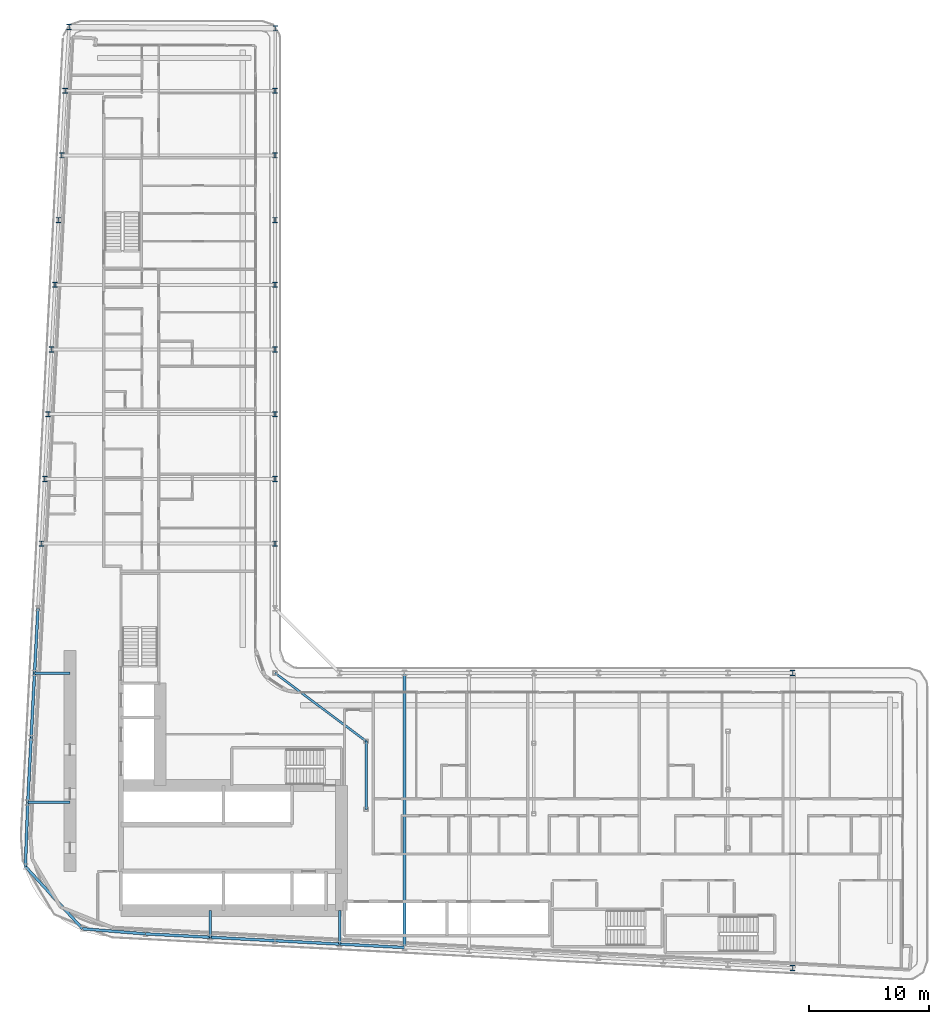
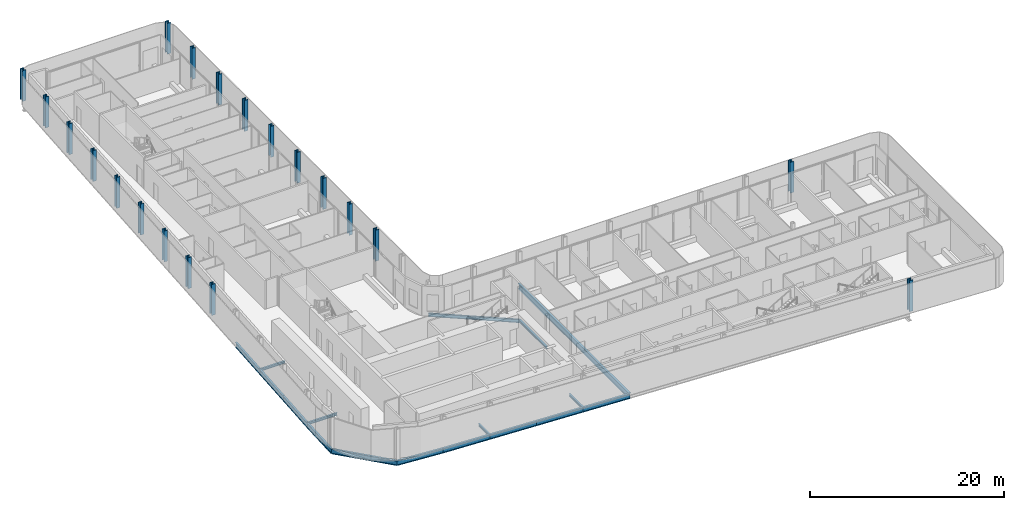
# One storey, part 3 of 27: 20 columns, 17 beams.
"""IFC4 building model written with IfcOpenShell, lengths in metres."""

import ifcopenshell
import ifcopenshell.guid

model = None  # the IFC model being written
_history = None  # IfcOwnerHistory: only IFC2X3 demands one
_inside = {}  # id of a spatial element -> (the spatial element, [elements in it])
_under = {}  # id of a project, library or spatial element -> (it, [spatial elements below it])
_declared = {}  # id of a project -> (the project, [libraries it declares])
_typed = {}  # id of a type object -> (the type object, [elements of that type])
_made_of = {}  # id of a material, layer set ... -> (it, [elements and type objects made of it])


def new_model(schema):
    """Start an empty IFC model of exactly this schema.

    Asked for "IFC4X3", IfcOpenShell would pick the latest addendum, in which some entities
    have other attributes; the version numbers below select the first issue.
    IFC2X3 requires an IfcOwnerHistory on every rooted entity: one is made here for all.
    """
    global model, _history
    if schema == "IFC4X3":
        model = ifcopenshell.file(schema_version=(4, 3, 0, 0))
    else:
        model = ifcopenshell.file(schema=schema)
    _inside.clear()
    _under.clear()
    _declared.clear()
    _typed.clear()
    _made_of.clear()
    _history = None
    if model.schema == "IFC2X3":
        org = make("IfcOrganization", Name="unknown")
        user = make(
            "IfcPersonAndOrganization",
            ThePerson=make("IfcPerson", FamilyName="unknown"),
            TheOrganization=org,
        )
        app = make(
            "IfcApplication",
            ApplicationDeveloper=org,
            Version="unknown",
            ApplicationFullName="unknown",
            ApplicationIdentifier="unknown",
        )
        _history = make(
            "IfcOwnerHistory",
            OwningUser=user,
            OwningApplication=app,
            ChangeAction="ADDED",
            CreationDate=0,
        )
    return model


def make(cls, **values):
    """One entity of the class cls with the attributes given. An attribute that is None is left unset."""
    return model.create_entity(
        cls, **{name: value for name, value in values.items() if value is not None}
    )


def rooted(cls, **values):
    """An entity with a GlobalId (a new one), such as an element, a storey or a relation."""
    return make(cls, GlobalId=ifcopenshell.guid.new(), OwnerHistory=_history, **values)


def si_unit(unit_type, name, prefix=None):
    """IfcSIUnit, for example si_unit("LENGTHUNIT", "METRE", prefix="MILLI")."""
    return make("IfcSIUnit", UnitType=unit_type, Prefix=prefix, Name=name)


def assignment(units):
    """IfcUnitAssignment: the units of a project."""
    return None if units is None else make("IfcUnitAssignment", Units=units)


def point(xyz):
    """IfcCartesianPoint."""
    return None if xyz is None else make("IfcCartesianPoint", Coordinates=xyz)


def direction(xyz):
    """IfcDirection."""
    return None if xyz is None else make("IfcDirection", DirectionRatios=xyz)


def frame(location, z_axis=None, x_axis=None):
    """IfcAxis2Placement3D, a coordinate frame: its origin and axes. An axis left out is left unset."""
    return make(
        "IfcAxis2Placement3D",
        Location=point(location),
        Axis=direction(z_axis),
        RefDirection=direction(x_axis),
    )


def frame_2d(location, x_axis=None):
    """IfcAxis2Placement2D, a coordinate frame in the plane: its origin and x axis."""
    return make(
        "IfcAxis2Placement2D", Location=point(location), RefDirection=direction(x_axis)
    )


def origin():
    """The frame at (0, 0, 0) with its axes left unset."""
    return frame((0.0, 0.0, 0.0))


def origin_2d():
    """The frame at (0, 0) in the plane with its x axis left unset."""
    return frame_2d((0.0, 0.0))


def place(relative_to, where):
    """IfcLocalPlacement: puts the frame where relative to a parent placement (None: the world)."""
    return make(
        "IfcLocalPlacement", PlacementRelTo=relative_to, RelativePlacement=where
    )


def context(
    kind, dimensions, precision=None, world=None, true_north=None, identifier=None
):
    """IfcGeometricRepresentationContext, for example the 3D "Model" context."""
    return make(
        "IfcGeometricRepresentationContext",
        ContextIdentifier=identifier,
        ContextType=kind,
        CoordinateSpaceDimension=dimensions,
        Precision=precision,
        WorldCoordinateSystem=world,
        TrueNorth=true_north,
    )


def subcontext(parent, identifier, kind, view, scale=None):
    """IfcGeometricRepresentationSubContext, for example "Body" below "Model"."""
    return make(
        "IfcGeometricRepresentationSubContext",
        ContextIdentifier=identifier,
        ContextType=kind,
        ParentContext=parent,
        TargetScale=scale,
        TargetView=view,
    )


def project(units=None, contexts=None):
    """IfcProject with its units and contexts."""
    return rooted(
        "IfcProject",
        Name="project",
        RepresentationContexts=contexts,
        UnitsInContext=assignment(units),
    )


def spatial(cls, under=None, at=None, **own):
    """A site, building, storey or space (cls), placed at a placement, below another one or the project."""
    s = rooted(cls, ObjectPlacement=at, **own)
    if under is not None:
        _under.setdefault(under.id(), (under, []))[1].append(s)
    return s


def profile(cls, at=None, kind="AREA", **sizes):
    """A parametric profile (cls). Its sizes go by their IFC names, for example OverallWidth=200.0."""
    return make(cls, ProfileType=kind, Position=at, **sizes)


def i_section(**sizes):
    """IfcIShapeProfileDef."""
    return profile("IfcIShapeProfileDef", **sizes)


def extrude(swept, where, along, depth):
    """IfcExtrudedAreaSolid: the profile swept, set in the frame where, extruded along a direction by depth."""
    return make(
        "IfcExtrudedAreaSolid",
        SweptArea=swept,
        Position=where,
        ExtrudedDirection=direction(along),
        Depth=depth,
    )


def shape(context_of_items, identifier, shape_type, items):
    """IfcShapeRepresentation: the items that make up one representation, for example the "Body"."""
    return make(
        "IfcShapeRepresentation",
        ContextOfItems=context_of_items,
        RepresentationIdentifier=identifier,
        RepresentationType=shape_type,
        Items=items,
    )


def material(Name=None, Category=None):
    """IfcMaterial."""
    return make("IfcMaterial", Name=Name, Category=Category)


def material_profile(
    of_material, cross_section, Name=None, Category=None, Priority=None
):
    """IfcMaterialProfile: a cross section and its material."""
    return make(
        "IfcMaterialProfile",
        Name=Name,
        Material=of_material,
        Profile=cross_section,
        Priority=Priority,
        Category=Category,
    )


def profile_set(profiles, Name=None, composite=None):
    """IfcMaterialProfileSet."""
    return make(
        "IfcMaterialProfileSet",
        Name=Name,
        MaterialProfiles=profiles,
        CompositeProfile=composite,
    )


def made_of(thing, what):
    """Note that an element or type object is made of a material, layer set ...; save() writes the relation."""
    if what is not None:
        _made_of.setdefault(what.id(), (what, []))[1].append(thing)
    return thing


def type_object(cls, material=None, **own):
    """A type object (cls), such as IfcWallType, which elements share."""
    return made_of(rooted(cls, **own), material)


def element(
    cls,
    number,
    at=None,
    inside=None,
    cuts=None,
    type_object=None,
    material=None,
    context=None,
    identifier="Body",
    shape_type=None,
    held_by="IfcProductDefinitionShape",
    body=None,
    shapes=None,
    **own,
):
    """One element of the class cls, such as IfcWall. Its Tag is "e" and its number.

    at: its placement. inside: the storey or other place that contains it. cuts: it is an
    opening in that element (IfcRelVoidsElement). A single representation is given by context,
    identifier, shape_type and body (its items); several are given by shapes. held_by: the class
    of the entity that holds the representations. save() writes the other relations.
    """
    e = rooted(cls, Tag="e%d" % number, ObjectPlacement=at, **own)
    if body is not None:
        shapes = [shape(context, identifier, shape_type, body)]
    if shapes is not None:
        e.Representation = make(held_by, Representations=shapes)
    if inside is not None:
        _inside.setdefault(inside.id(), (inside, []))[1].append(e)
    if cuts is not None:
        rooted(
            "IfcRelVoidsElement", RelatingBuildingElement=cuts, RelatedOpeningElement=e
        )
    if type_object is not None:
        _typed.setdefault(type_object.id(), (type_object, []))[1].append(e)
    return made_of(e, material)


def aggregate(whole, parts):
    """IfcRelAggregates: a whole, such as a stair, and the parts it consists of."""
    return rooted("IfcRelAggregates", RelatingObject=whole, RelatedObjects=parts)


def save(model, path):
    """Write the relations noted so far, then the file.

    IfcRelAggregates (storeys below a building ...), IfcRelContainedInSpatialStructure (elements
    in a storey), IfcRelDefinesByType, IfcRelAssociatesMaterial and IfcRelDeclares: one each for
    every whole, place, type object, material and project.
    """
    for whole, parts in _under.values():
        aggregate(whole, parts)
    for where, things in _inside.values():
        rooted(
            "IfcRelContainedInSpatialStructure",
            RelatedElements=things,
            RelatingStructure=where,
        )
    for kind, things in _typed.values():
        rooted("IfcRelDefinesByType", RelatedObjects=things, RelatingType=kind)
    for what, things in _made_of.values():
        rooted("IfcRelAssociatesMaterial", RelatedObjects=things, RelatingMaterial=what)
    for by, libraries in _declared.values():
        rooted("IfcRelDeclares", RelatingContext=by, RelatedDefinitions=libraries)
    model.write(path)


model = new_model("IFC4")

# Units and contexts
model_context = context("Model", 3, precision=1e-05, world=origin(), true_north=direction((0.0, 1.0)))
body_context = subcontext(model_context, "Body", "Model", "MODEL_VIEW")
ifc_project = project(units=[si_unit("LENGTHUNIT", "METRE"), si_unit("AREAUNIT", "SQUARE_METRE"), si_unit("VOLUMEUNIT", "CUBIC_METRE"), si_unit("PLANEANGLEUNIT", "RADIAN"), si_unit("MASSUNIT", "GRAM", prefix="KILO")], contexts=[model_context])

# Site, building, storey
site_placement = place(None, origin())
site = spatial("IfcSite", under=ifc_project, at=site_placement, CompositionType="ELEMENT")
building_placement = place(site_placement, origin())
building = spatial("IfcBuilding", under=site, at=building_placement, Name="Kheshtan School and Residences Tower", CompositionType="ELEMENT")
storey_placement = place(building_placement, frame((0.0, 0.0, 57.800048828125)))
storey = spatial("IfcBuildingStorey", under=building, at=storey_placement, Name="L13", CompositionType="ELEMENT", Elevation=57.800048828125)

# Columns
ifc_material = material(Name="Steel ASTM A992 Grade 50", Category="steel")
ifc_material_profile_1 = material_profile(ifc_material, i_section(OverallWidth=0.424072265625, OverallDepth=0.47412109375, WebThickness=0.047607421875, FlangeThickness=0.0771484375, FilletRadius=0.01416015625, at=origin_2d()), Name="W360x634")
ifc_profile_set_1 = profile_set([ifc_material_profile_1], Name="Steel ASTM A992 Grade 50")
column_type = type_object("IfcColumnType", Name="Column C1 W360x634 ASTM A992 Grade 50", PredefinedType="COLUMN", material=ifc_profile_set_1)
for number, where, z_axis, x_axis, name in (
    (1, (90.800048828125, 20.989990234375, 0.0), (0.0, 0.0, 1.0), (1.0, 0.0, 0.0), "Column C006"),
    (2, (90.800048828125, 45.60009765625, 0.0), (0.0, 0.0, 1.0), (1.0, 0.0, 0.0), "Column C068"),
    (3, (28.10595703125, 56.39990234375, 0.0), (0.0, 0.0, 1.0), (1.0, 0.0, 0.0), "Column C080"),
    (4, (47.60009765625, 56.39990234375, 0.0), (0.0, 0.0, 1.0), (1.0, 0.0, 0.0), "Column C081"),
    (5, (28.389892578125, 61.800048828125, 0.0), (0.0, 0.0, 1.0), (1.0, 0.0, 0.0), "Column C082"),
    (6, (47.60009765625, 61.800048828125, 0.0), (0.0, 0.0, 1.0), (1.0, 0.0, 0.0), "Column C083"),
    (7, (28.674072265625, 67.199951171875, 0.0), (0.0, 0.0, 1.0), (1.0, 0.0, 0.0), "Column C084"),
    (8, (47.60009765625, 67.199951171875, 0.0), (0.0, 0.0, 1.0), (1.0, 0.0, 0.0), "Column C085"),
    (9, (28.9580078125, 72.60009765625, 0.0), (0.0, 0.0, 1.0), (1.0, 0.0, 0.0), "Column C086"),
    (10, (47.60009765625, 72.60009765625, 0.0), (0.0, 0.0, 1.0), (1.0, 0.0, 0.0), "Column C087"),
    (11, (29.242919921875, 78.0, 0.0), (0.0, 0.0, 1.0), (1.0, 0.0, 0.0), "Column C088"),
    (12, (47.60009765625, 78.0, 0.0), (0.0, 0.0, 1.0), (1.0, 0.0, 0.0), "Column C089"),
    (13, (29.527099609375, 83.39990234375, 0.0), (0.0, 0.0, 1.0), (1.0, 0.0, 0.0), "Column C090"),
    (14, (47.60009765625, 83.39990234375, 0.0), (0.0, 0.0, 1.0), (1.0, 0.0, 0.0), "Column C091"),
    (15, (29.81103515625, 88.800048828125, 0.0), (0.0, 0.0, 1.0), (1.0, 0.0, 0.0), "Column C098"),
    (16, (47.60009765625, 88.800048828125, 0.0), (0.0, 0.0, 1.0), (1.0, 0.0, 0.0), "Column C099"),
    (17, (30.094970703125, 94.199951171875, 0.0), (0.0, 0.0, 1.0), (1.0, 0.0, 0.0), "Column C106"),
    (18, (47.60009765625, 94.199951171875, 0.0), (0.0, 0.0, 1.0), (1.0, 0.0, 0.0), "Column C107"),
    (19, (47.6298828125, 99.402099609375, 0.0), (0.0, 0.0, 1.0), (1.0, 0.0, 0.0), "Column C113"),
    (20, (30.424072265625, 99.510009765625, 0.0), (0.0, 0.0, 1.0), (1.0, 0.0, 0.0), "Column C121"),
):
    element("IfcColumn", number, at=place(storey_placement, frame(where, z_axis=z_axis, x_axis=x_axis)), inside=storey, type_object=column_type, Name=name, PredefinedType="COLUMN", context=body_context, shape_type="SweptSolid", body=[
        extrude(i_section(OverallWidth=0.424072265625, OverallDepth=0.47412109375, WebThickness=0.047607421875, FlangeThickness=0.0771484375, FilletRadius=0.01416015625, at=origin_2d()), origin(), (0.0, 0.0, 1.0), 3.89990234375),
    ])

# Beams
ifc_material_profile_2 = material_profile(ifc_material, i_section(OverallWidth=0.202880859375, OverallDepth=0.302978515625, WebThickness=0.007568359375, FlangeThickness=0.01318359375, FilletRadius=0.009033203125, at=origin_2d()), Name="W310x60")
ifc_profile_set_2 = profile_set([ifc_material_profile_2], Name="Steel ASTM A992 Grade 50")
beam_type_1 = type_object("IfcBeamType", Name="Beam FB1 W310x60 ASTM A992 Grade 50", PredefinedType="BEAM", material=ifc_profile_set_2)
beam_1_placement = place(storey_placement, frame((53.0, 22.97998046875, -0.301513671875), z_axis=(0.0, 1.0, 0.0), x_axis=(-1.0, 0.0, 0.0)))
element("IfcBeam", 21, at=beam_1_placement, inside=storey, type_object=beam_type_1, Name="Floor beam C019", PredefinedType="BEAM", context=body_context, shape_type="SweptSolid", body=[
    extrude(i_section(OverallWidth=0.202880859375, OverallDepth=0.302978515625, WebThickness=0.007568359375, FlangeThickness=0.01318359375, FilletRadius=0.009033203125, at=origin_2d()), origin(), (0.0, 0.0, 1.0), 2.820068359375),
])
beam_2_placement = place(storey_placement, frame((42.199951171875, 23.548095703125, -0.301513671875), z_axis=(0.0, 1.0, 0.0), x_axis=(-1.0, 0.0, 0.0)))
element("IfcBeam", 22, at=beam_2_placement, inside=storey, type_object=beam_type_1, Name="Floor beam C021", PredefinedType="BEAM", context=body_context, shape_type="SweptSolid", body=[
    extrude(i_section(OverallWidth=0.202880859375, OverallDepth=0.302978515625, WebThickness=0.007568359375, FlangeThickness=0.01318359375, FilletRadius=0.009033203125, at=origin_2d()), origin(), (0.0, 0.0, 1.0), 2.251953125),
])
beam_3_placement = place(storey_placement, frame((26.968994140625, 34.800048828125, -0.301513671875), z_axis=(1.0, 0.0, 0.0), x_axis=(0.0, 1.0, 0.0)))
element("IfcBeam", 23, at=beam_3_placement, inside=storey, type_object=beam_type_1, Name="Floor beam C052", PredefinedType="BEAM", context=body_context, shape_type="SweptSolid", body=[
    extrude(i_section(OverallWidth=0.202880859375, OverallDepth=0.302978515625, WebThickness=0.007568359375, FlangeThickness=0.01318359375, FilletRadius=0.009033203125, at=origin_2d()), origin(), (0.0, 0.0, 1.0), 3.531005859375),
])
beam_4_placement = place(storey_placement, frame((27.537109375, 45.60009765625, -0.301513671875), z_axis=(1.0, 0.0, 0.0), x_axis=(0.0, 1.0, 0.0)))
element("IfcBeam", 24, at=beam_4_placement, inside=storey, type_object=beam_type_1, Name="Floor beam C059", PredefinedType="BEAM", context=body_context, shape_type="SweptSolid", body=[
    extrude(i_section(OverallWidth=0.202880859375, OverallDepth=0.302978515625, WebThickness=0.007568359375, FlangeThickness=0.01318359375, FilletRadius=0.009033203125, at=origin_2d()), origin(), (0.0, 0.0, 1.0), 2.962890625),
])
beam_5_placement = place(storey_placement, frame((55.199951171875, 34.23193359375, -0.301513671875), z_axis=(0.0, 1.0, 0.0), x_axis=(-1.0, 0.0, 0.0)))
element("IfcBeam", 25, at=beam_5_placement, inside=storey, type_object=beam_type_1, Name="Floor beam IC", PredefinedType="BEAM", context=body_context, shape_type="SweptSolid", body=[
    extrude(i_section(OverallWidth=0.202880859375, OverallDepth=0.302978515625, WebThickness=0.007568359375, FlangeThickness=0.01318359375, FilletRadius=0.009033203125, at=origin_2d()), origin(), (0.0, 0.0, 1.0), 5.68408203125),
])
ifc_material_profile_3 = material_profile(ifc_material, i_section(OverallWidth=0.180908203125, OverallDepth=0.4169921875, WebThickness=0.010986328125, FlangeThickness=0.018310546875, FilletRadius=0.012451171875, at=origin_2d()), Name="W410x85")
ifc_profile_set_3 = profile_set([ifc_material_profile_3], Name="Steel ASTM A992 Grade 50")
beam_type_2 = type_object("IfcBeamType", Name="Beam FB3 W410x85 ASTM A992 Grade 50", PredefinedType="BEAM", material=ifc_profile_set_3)
beam_6_placement = place(storey_placement, frame((47.60009765625, 45.60009765625, -0.358642578125), z_axis=(0.800798828004, -0.598933416222, 0.0), x_axis=(0.598933416222, 0.800798828004, 0.0)))
element("IfcBeam", 26, at=beam_6_placement, inside=storey, type_object=beam_type_2, Name="Floor beam IC", PredefinedType="BEAM", context=body_context, shape_type="SweptSolid", body=[
    extrude(i_section(OverallWidth=0.180908203125, OverallDepth=0.4169921875, WebThickness=0.010986328125, FlangeThickness=0.018310546875, FilletRadius=0.012451171875, at=origin_2d()), origin(), (0.0, 0.0, 1.0), 9.490234375),
])
ifc_material_profile_4 = material_profile(ifc_material, i_section(OverallWidth=0.2529296875, OverallDepth=0.677978515625, WebThickness=0.01171875, FlangeThickness=0.016357421875, FilletRadius=0.0146484375, at=origin_2d()), Name="W690x125")
ifc_profile_set_4 = profile_set([ifc_material_profile_4], Name="Steel ASTM A992 Grade 50")
beam_type_3 = type_object("IfcBeamType", Name="Beam FB6 W690x125 ASTM A992 Grade 50", PredefinedType="BEAM", material=ifc_profile_set_4)
beam_7_placement = place(storey_placement, frame((58.39990234375, 45.60009765625, -0.489013671875), z_axis=(0.0, -1.0, 0.0), x_axis=(1.0, 0.0, 0.0)))
element("IfcBeam", 27, at=beam_7_placement, inside=storey, type_object=beam_type_3, Name="Floor beam C062", PredefinedType="BEAM", context=body_context, shape_type="SweptSolid", body=[
    extrude(i_section(OverallWidth=0.2529296875, OverallDepth=0.677978515625, WebThickness=0.01171875, FlangeThickness=0.016357421875, FilletRadius=0.0146484375, at=origin_2d()), origin(), (0.0, 0.0, 1.0), 22.905029296875),
])
ifc_material_profile_5 = material_profile(ifc_material, i_section(OverallWidth=0.22998046875, OverallDepth=0.616943359375, WebThickness=0.01318359375, FlangeThickness=0.022216796875, FilletRadius=0.0185546875, at=origin_2d()), Name="W610x140")
ifc_profile_set_5 = profile_set([ifc_material_profile_5], Name="Steel ASTM A992 Grade 50")
beam_type_4 = type_object("IfcBeamType", Name="Beam SP1 W610x140 ASTM A992 Grade 50", PredefinedType="BEAM", material=ifc_profile_set_5)
for number, where, z_axis, x_axis, name in (
    (28, (58.39990234375, 22.695068359375, -0.45849609375), (-0.998610961136, 0.052689166816, 0.0), (-0.052689166816, -0.998610961136, 0.0), "Spandrel beam C018-C019"),
    (29, (53.0, 22.97998046875, -0.45849609375), (-0.998620447272, 0.05250906864, 0.0), (-0.05250906864, -0.998620447272, 0.0), "Spandrel beam C019-C020"),
):
    element("IfcBeam", number, at=place(storey_placement, frame(where, z_axis=z_axis, x_axis=x_axis)), inside=storey, type_object=beam_type_4, Name=name, PredefinedType="BEAM", context=body_context, shape_type="SweptSolid", body=[
        extrude(i_section(OverallWidth=0.22998046875, OverallDepth=0.616943359375, WebThickness=0.01318359375, FlangeThickness=0.022216796875, FilletRadius=0.0185546875, at=origin_2d()), origin(), (0.0, 0.0, 1.0), 5.407470703125),
    ])
beam_8_placement = place(storey_placement, frame((47.60009765625, 23.263916015625, -0.45849609375), z_axis=(-0.998618203458, 0.052551724256, 0.0), x_axis=(-0.052551724256, -0.998618203458, 0.0)))
element("IfcBeam", 30, at=beam_8_placement, inside=storey, type_object=beam_type_4, Name="Spandrel beam C020-C021", PredefinedType="BEAM", context=body_context, shape_type="SweptSolid", body=[
    extrude(i_section(OverallWidth=0.22998046875, OverallDepth=0.616943359375, WebThickness=0.01318359375, FlangeThickness=0.022216796875, FilletRadius=0.0185546875, at=origin_2d()), origin(), (0.0, 0.0, 1.0), 5.40771484375),
])
beam_9_placement = place(storey_placement, frame((42.199951171875, 23.548095703125, -0.45849609375), z_axis=(-0.998620447272, 0.05250906864, 0.0), x_axis=(-0.05250906864, -0.998620447272, 0.0)))
element("IfcBeam", 31, at=beam_9_placement, inside=storey, type_object=beam_type_4, Name="Spandrel beam C021-C022", PredefinedType="BEAM", context=body_context, shape_type="SweptSolid", body=[
    extrude(i_section(OverallWidth=0.22998046875, OverallDepth=0.616943359375, WebThickness=0.01318359375, FlangeThickness=0.022216796875, FilletRadius=0.0185546875, at=origin_2d()), origin(), (0.0, 0.0, 1.0), 5.407470703125),
])
beam_10_placement = place(storey_placement, frame((36.800048828125, 23.83203125, -0.45849609375), z_axis=(-0.996748565693, 0.08057479003, 0.0), x_axis=(-0.08057479003, -0.996748565693, 0.0)))
element("IfcBeam", 32, at=beam_10_placement, inside=storey, type_object=beam_type_4, Name="Spandrel beam C022-C025", PredefinedType="BEAM", context=body_context, shape_type="SweptSolid", body=[
    extrude(i_section(OverallWidth=0.22998046875, OverallDepth=0.616943359375, WebThickness=0.01318359375, FlangeThickness=0.022216796875, FilletRadius=0.0185546875, at=origin_2d()), origin(), (0.0, 0.0, 1.0), 5.275146484375),
])
beam_11_placement = place(storey_placement, frame((31.5419921875, 24.257080078125, -0.45849609375), z_axis=(-0.676418406149, 0.736517576045, 0.0), x_axis=(-0.736517576045, -0.676418406149, 0.0)))
element("IfcBeam", 33, at=beam_11_placement, inside=storey, type_object=beam_type_4, Name="Spandrel beam C025-C038", PredefinedType="BEAM", context=body_context, shape_type="SweptSolid", body=[
    extrude(i_section(OverallWidth=0.22998046875, OverallDepth=0.616943359375, WebThickness=0.01318359375, FlangeThickness=0.022216796875, FilletRadius=0.0185546875, at=origin_2d()), origin(), (0.0, 0.0, 1.0), 7.05615234375),
])
beam_12_placement = place(storey_placement, frame((26.76904296875, 29.4541015625, -0.45849609375), z_axis=(0.037376249491, 0.999301263871, 0.0), x_axis=(-0.999301263871, 0.037376249491, 0.0)))
element("IfcBeam", 34, at=beam_12_placement, inside=storey, type_object=beam_type_4, Name="Spandrel beam C038-C052", PredefinedType="BEAM", context=body_context, shape_type="SweptSolid", body=[
    extrude(i_section(OverallWidth=0.22998046875, OverallDepth=0.616943359375, WebThickness=0.01318359375, FlangeThickness=0.022216796875, FilletRadius=0.0185546875, at=origin_2d()), origin(), (0.0, 0.0, 1.0), 5.349609375),
])
beam_13_placement = place(storey_placement, frame((26.968994140625, 34.800048828125, -0.45849609375), z_axis=(0.05250906864, 0.998620447272, 0.0), x_axis=(-0.998620447272, 0.05250906864, 0.0)))
element("IfcBeam", 35, at=beam_13_placement, inside=storey, type_object=beam_type_4, Name="Spandrel beam C052-C056", PredefinedType="BEAM", context=body_context, shape_type="SweptSolid", body=[
    extrude(i_section(OverallWidth=0.22998046875, OverallDepth=0.616943359375, WebThickness=0.01318359375, FlangeThickness=0.022216796875, FilletRadius=0.0185546875, at=origin_2d()), origin(), (0.0, 0.0, 1.0), 5.407470703125),
])
beam_14_placement = place(storey_placement, frame((27.2529296875, 40.199951171875, -0.45849609375), z_axis=(0.052551724256, 0.998618203458, 0.0), x_axis=(-0.998618203458, 0.052551724256, 0.0)))
element("IfcBeam", 36, at=beam_14_placement, inside=storey, type_object=beam_type_4, Name="Spandrel beam C056-C059", PredefinedType="BEAM", context=body_context, shape_type="SweptSolid", body=[
    extrude(i_section(OverallWidth=0.22998046875, OverallDepth=0.616943359375, WebThickness=0.01318359375, FlangeThickness=0.022216796875, FilletRadius=0.0185546875, at=origin_2d()), origin(), (0.0, 0.0, 1.0), 5.40771484375),
])
beam_15_placement = place(storey_placement, frame((27.537109375, 45.60009765625, -0.45849609375), z_axis=(0.052689166816, 0.998610961136, 0.0), x_axis=(-0.998610961136, 0.052689166816, 0.0)))
element("IfcBeam", 37, at=beam_15_placement, inside=storey, type_object=beam_type_4, Name="Spandrel beam C059-C078", PredefinedType="BEAM", context=body_context, shape_type="SweptSolid", body=[
    extrude(i_section(OverallWidth=0.22998046875, OverallDepth=0.616943359375, WebThickness=0.01318359375, FlangeThickness=0.022216796875, FilletRadius=0.0185546875, at=origin_2d()), origin(), (0.0, 0.0, 1.0), 5.407470703125),
])

save(model, "model.ifc")
